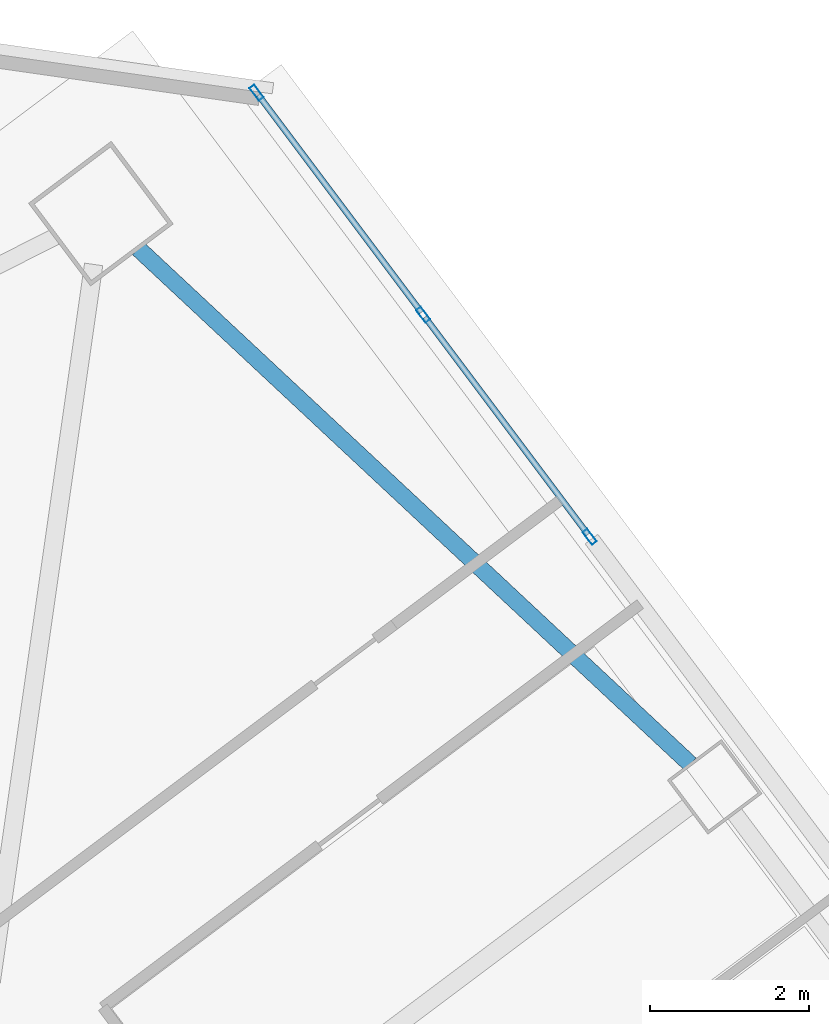
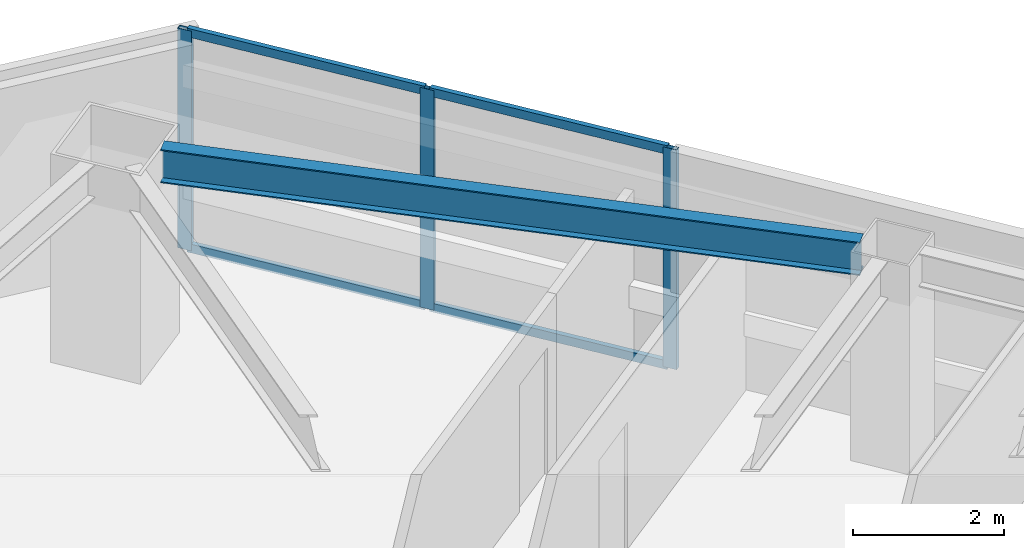
# One storey, part 33 of 48: 7 members, 1 beam, 1 element without a shape of its own.
"""IFC4 building model written with IfcOpenShell, lengths in metres."""

from ifc_helpers import new_model, si_unit, direction, frame, origin, origin_2d, place, context, subcontext, project, spatial, hollow_rectangle, i_section, extrude, material, material_profile, profile_set, type_object, element, aggregate, save


model = new_model("IFC4")

# Units and contexts
model_context = context("Model", 3, precision=1e-05, world=origin(), true_north=direction((0.0, 1.0)))
body_context = subcontext(model_context, "Body", "Model", "MODEL_VIEW")
ifc_project = project(units=[si_unit("LENGTHUNIT", "METRE"), si_unit("AREAUNIT", "SQUARE_METRE"), si_unit("VOLUMEUNIT", "CUBIC_METRE"), si_unit("PLANEANGLEUNIT", "RADIAN"), si_unit("MASSUNIT", "GRAM", prefix="KILO")], contexts=[model_context])

# Site, building, storey
site_placement = place(None, origin())
site = spatial("IfcSite", under=ifc_project, at=site_placement, CompositionType="ELEMENT")
building_placement = place(site_placement, origin())
building = spatial("IfcBuilding", under=site, at=building_placement, Name="Tashvorn Skyway Center", CompositionType="ELEMENT")
storey_placement = place(building_placement, frame((0.0, 0.0, 125.050048828125)))
storey = spatial("IfcBuildingStorey", under=building, at=storey_placement, Name="L33", CompositionType="ELEMENT", Elevation=125.050048828125)

# Beam
ifc_material_1 = material(Name="Steel ASTM A992 Grade 50", Category="steel")
ifc_material_profile_1 = material_profile(ifc_material_1, i_section(OverallWidth=0.2109375, OverallDepth=0.5390625, WebThickness=0.01171875, FlangeThickness=0.018798828125, at=origin_2d()), Name="W21X73")
ifc_profile_set_1 = profile_set([ifc_material_profile_1], Name="Steel ASTM A992 Grade 50")
beam_type = type_object("IfcBeamType", Name="BM-SPANDREL-W21X73", PredefinedType="SPANDREL", material=ifc_profile_set_1)
beam_placement = place(storey_placement, frame((124.572998046875, 47.19677734375, 3.100341796875), z_axis=(-0.730843250868, 0.682545341102, 0.0), x_axis=(-0.682545341102, -0.730843250868, 0.0)))
element("IfcBeam", 1, at=beam_placement, inside=storey, type_object=beam_type, Name="Tower 2 L33 Spandrel Beam 06", PredefinedType="SPANDREL", context=body_context, shape_type="SweptSolid", body=[
    extrude(i_section(OverallWidth=0.2109375, OverallDepth=0.5390625, WebThickness=0.01171875, FlangeThickness=0.018798828125, at=origin_2d()), origin(), (0.0, 0.0, 1.0), 9.498046875),
])

# Curtain wall, members
ifc_material_2 = material(Name="Thermally broken bronze-anodized aluminium 6063-T6", Category="aluminium")
curtain_wall_type = type_object("IfcCurtainWallType", Name="CW-CW-Z3", PredefinedType="NOTDEFINED", material=ifc_material_2)
curtain_wall_placement = place(storey_placement, origin())
curtain_wall = element("IfcCurtainWall", 2, at=curtain_wall_placement, inside=storey, type_object=curtain_wall_type, Name="Tower 2 L33 East Unitised Curtain Wall Glazing Group 1", PredefinedType="NOTDEFINED")
ifc_material_profile_2 = material_profile(ifc_material_2, hollow_rectangle(XDim=0.074951171875, YDim=0.199951171875, WallThickness=0.00439453125, at=origin_2d()), Name="ALU-MULL-75x200")
ifc_profile_set_2 = profile_set([ifc_material_profile_2], Name="Thermally broken bronze-anodized aluminium 6063-T6")
member_type_1 = type_object("IfcMemberType", Name="CWM-CW-Z3", PredefinedType="MULLION", material=ifc_profile_set_2)
member_1_placement = place(storey_placement, frame((119.118408203125, 55.64208984375, 0.0), z_axis=(0.0, 0.0, 1.0), x_axis=(0.799996599484, 0.600004533995, 0.0)))
member_1 = element("IfcMember", 3, at=member_1_placement, type_object=member_type_1, Name="CW-Z3 mullion 1", PredefinedType="MULLION", context=body_context, shape_type="SweptSolid", body=[
    extrude(hollow_rectangle(XDim=0.074951171875, YDim=0.199951171875, WallThickness=0.00439453125, at=origin_2d()), origin(), (0.0, 0.0, 1.0), 3.550048828125),
])
member_2_placement = place(storey_placement, frame((121.21337890625, 52.848876953125, 0.0), z_axis=(0.0, 0.0, 1.0), x_axis=(0.799996599484, 0.600004533995, 0.0)))
member_2 = element("IfcMember", 4, at=member_2_placement, type_object=member_type_1, Name="CW-Z3 mullion 2", PredefinedType="MULLION", context=body_context, shape_type="SweptSolid", body=[
    extrude(hollow_rectangle(XDim=0.074951171875, YDim=0.199951171875, WallThickness=0.00439453125, at=origin_2d()), origin(), (0.0, 0.0, 1.0), 3.550048828125),
])
member_3_placement = place(storey_placement, frame((123.30810546875, 50.055908203125, 0.0), z_axis=(0.0, 0.0, 1.0), x_axis=(0.799996599484, 0.600004533995, 0.0)))
member_3 = element("IfcMember", 5, at=member_3_placement, type_object=member_type_1, Name="CW-Z3 mullion 3", PredefinedType="MULLION", context=body_context, shape_type="SweptSolid", body=[
    extrude(hollow_rectangle(XDim=0.074951171875, YDim=0.199951171875, WallThickness=0.00439453125, at=origin_2d()), origin(), (0.0, 0.0, 1.0), 3.550048828125),
])
ifc_material_profile_3 = material_profile(ifc_material_2, hollow_rectangle(XDim=0.074951171875, YDim=0.139892578125, WallThickness=0.004150390625, at=origin_2d()), Name="ALU-TRAN-75x140")
ifc_profile_set_3 = profile_set([ifc_material_profile_3], Name="Thermally broken bronze-anodized aluminium 6063-T6")
member_type_2 = type_object("IfcMemberType", Name="CWT-CW-Z3", PredefinedType="USERDEFINED", material=ifc_profile_set_3)
member_4_placement = place(storey_placement, frame((119.14111328125, 55.612060546875, 0.037353515625), z_axis=(0.59998856614, -0.800008575267, 0.0), x_axis=(0.800008575267, 0.59998856614, 0.0)))
member_4 = element("IfcMember", 6, at=member_4_placement, type_object=member_type_2, Name="CW-Z3 transom 1.1", ObjectType="TRANSOM", PredefinedType="USERDEFINED", context=body_context, shape_type="SweptSolid", body=[
    extrude(hollow_rectangle(XDim=0.074951171875, YDim=0.139892578125, WallThickness=0.004150390625, at=origin_2d()), origin(), (0.0, 0.0, 1.0), 3.41650390625),
])
member_5_placement = place(storey_placement, frame((119.14111328125, 55.612060546875, 3.512451171875), z_axis=(0.59998856614, -0.800008575267, 0.0), x_axis=(0.800008575267, 0.59998856614, 0.0)))
member_5 = element("IfcMember", 7, at=member_5_placement, type_object=member_type_2, Name="CW-Z3 transom 1.2", ObjectType="TRANSOM", PredefinedType="USERDEFINED", context=body_context, shape_type="SweptSolid", body=[
    extrude(hollow_rectangle(XDim=0.074951171875, YDim=0.139892578125, WallThickness=0.004150390625, at=origin_2d()), origin(), (0.0, 0.0, 1.0), 3.41650390625),
])
member_6_placement = place(storey_placement, frame((121.23583984375, 52.81884765625, 0.037353515625), z_axis=(0.59998856614, -0.800008575267, 0.0), x_axis=(0.800008575267, 0.59998856614, 0.0)))
member_6 = element("IfcMember", 8, at=member_6_placement, type_object=member_type_2, Name="CW-Z3 transom 2.1", ObjectType="TRANSOM", PredefinedType="USERDEFINED", context=body_context, shape_type="SweptSolid", body=[
    extrude(hollow_rectangle(XDim=0.074951171875, YDim=0.139892578125, WallThickness=0.004150390625, at=origin_2d()), origin(), (0.0, 0.0, 1.0), 3.41650390625),
])
member_7_placement = place(storey_placement, frame((121.23583984375, 52.81884765625, 3.512451171875), z_axis=(0.59998856614, -0.800008575267, 0.0), x_axis=(0.800008575267, 0.59998856614, 0.0)))
member_7 = element("IfcMember", 9, at=member_7_placement, type_object=member_type_2, Name="CW-Z3 transom 2.2", ObjectType="TRANSOM", PredefinedType="USERDEFINED", context=body_context, shape_type="SweptSolid", body=[
    extrude(hollow_rectangle(XDim=0.074951171875, YDim=0.139892578125, WallThickness=0.004150390625, at=origin_2d()), origin(), (0.0, 0.0, 1.0), 3.41650390625),
])
aggregate(curtain_wall, [member_1, member_2, member_3, member_4, member_5, member_6, member_7])

save(model, "model.ifc")
